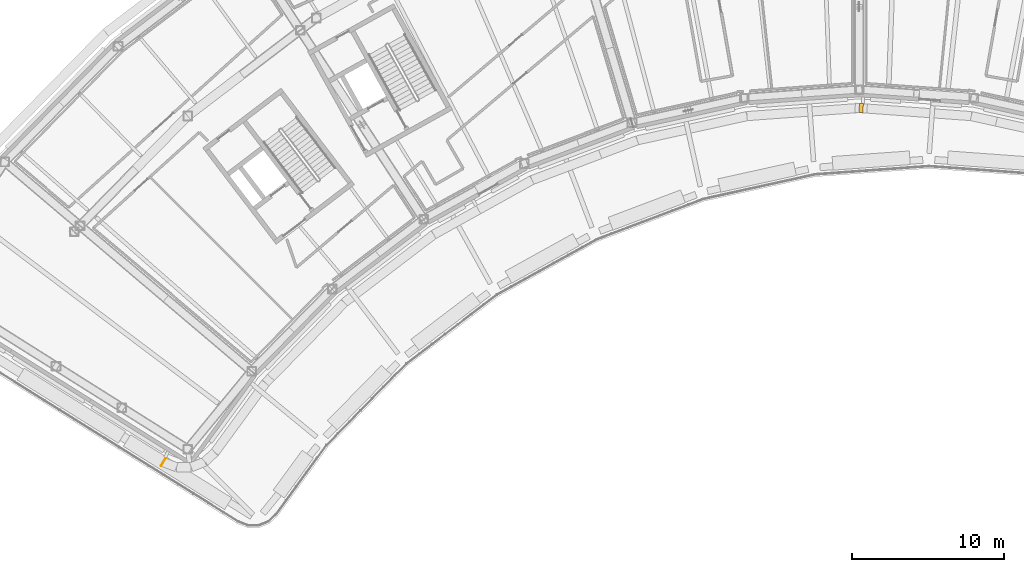
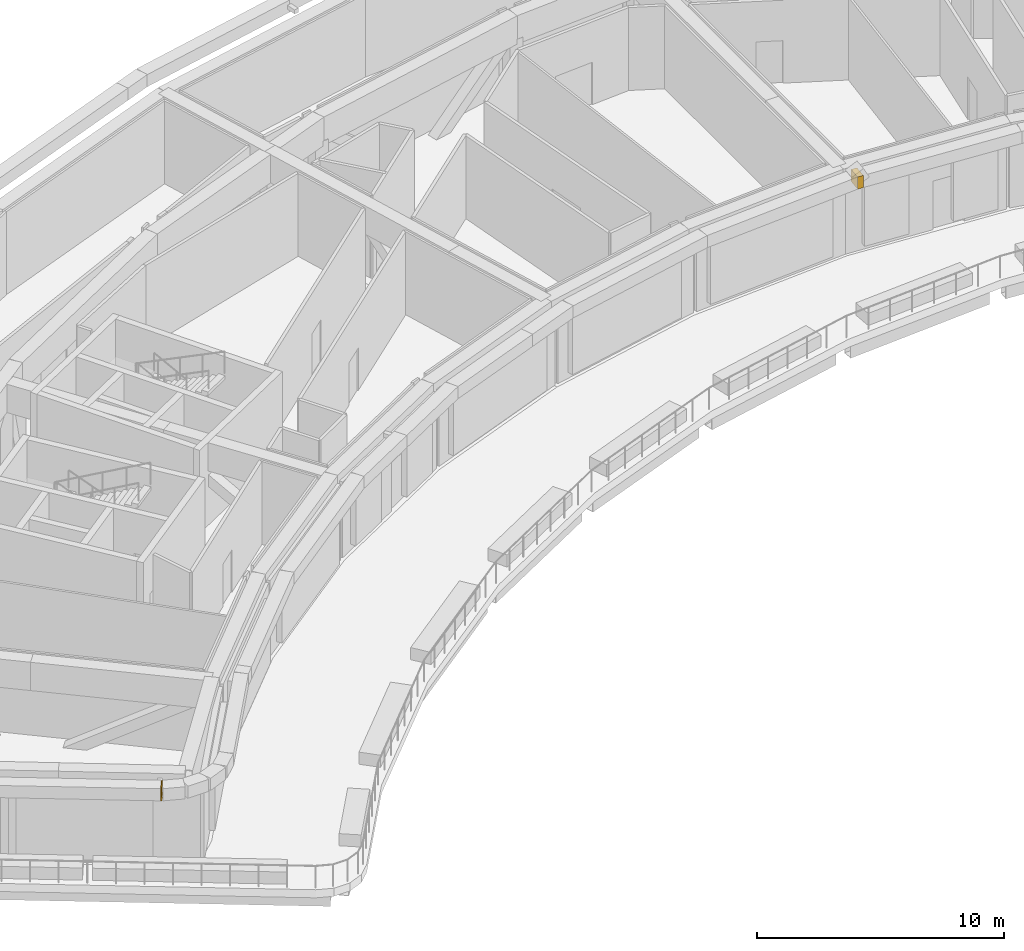
# One storey, part 23 of 24: 2 coverings.
"""IFC4 building model written with IfcOpenShell, lengths in metres."""

from ifc_helpers import new_model, si_unit, direction, frame, origin, origin_2d, place, context, subcontext, project, spatial, rectangle, extrude, material, material_profile, profile_set, type_object, element, save


model = new_model("IFC4")

# Units and contexts
model_context = context("Model", 3, precision=1e-05, world=origin(), true_north=direction((0.0, 1.0)))
body_context = subcontext(model_context, "Body", "Model", "MODEL_VIEW")
ifc_project = project(units=[si_unit("LENGTHUNIT", "METRE"), si_unit("AREAUNIT", "SQUARE_METRE"), si_unit("VOLUMEUNIT", "CUBIC_METRE"), si_unit("PLANEANGLEUNIT", "RADIAN"), si_unit("MASSUNIT", "GRAM", prefix="KILO")], contexts=[model_context])

# Site, building, storey
site_placement = place(None, origin())
site = spatial("IfcSite", under=ifc_project, at=site_placement, CompositionType="ELEMENT")
building_placement = place(site_placement, origin())
building = spatial("IfcBuilding", under=site, at=building_placement, Name="Tuul Gate Civic Tower", CompositionType="ELEMENT")
storey_placement = place(building_placement, frame((0.0, 0.0, 315.199951171875)))
storey = spatial("IfcBuildingStorey", under=building, at=storey_placement, Name="Plant and refuge floor 7", CompositionType="ELEMENT", Elevation=315.199951171875)

# Coverings
ifc_material = material(Name="Terracotta baguette", Category="masonry")
ifc_material_profile = material_profile(ifc_material, rectangle(XDim=0.60009765625, YDim=0.60009765625, at=origin_2d()), Name="Terracotta baguette screen frame")
ifc_profile_set = profile_set([ifc_material_profile], Name="Terracotta baguette")
covering_type = type_object("IfcCoveringType", Name="Terracotta baguette screen frame", PredefinedType="CLADDING", material=ifc_profile_set)
covering_1_placement = place(storey_placement, frame((-43.7373046875, -32.078369140625, 4.150146484375), z_axis=(0.848779090136, -0.528747629921, 0.0), x_axis=(0.528747629921, 0.848779090136, 0.0)))
element("IfcCovering", 1, at=covering_1_placement, inside=storey, type_object=covering_type, Name="Baguette 157", PredefinedType="CLADDING", context=body_context, shape_type="SweptSolid", body=[
    extrude(rectangle(XDim=0.60009765625, YDim=0.60009765625, at=origin_2d()), origin(), (0.0, 0.0, 1.0), 0.052734375),
])
covering_2_placement = place(storey_placement, frame((2.19189453125, -8.73095703125, 4.150146484375), z_axis=(0.997368261677, -0.072502073076, 0.0), x_axis=(0.072502073076, 0.997368261677, 0.0)))
element("IfcCovering", 2, at=covering_2_placement, inside=storey, type_object=covering_type, Name="Baguette 401", PredefinedType="CLADDING", context=body_context, shape_type="SweptSolid", body=[
    extrude(rectangle(XDim=0.60009765625, YDim=0.60009765625, at=origin_2d()), origin(), (0.0, 0.0, 1.0), 0.2626953125),
])

save(model, "model.ifc")
